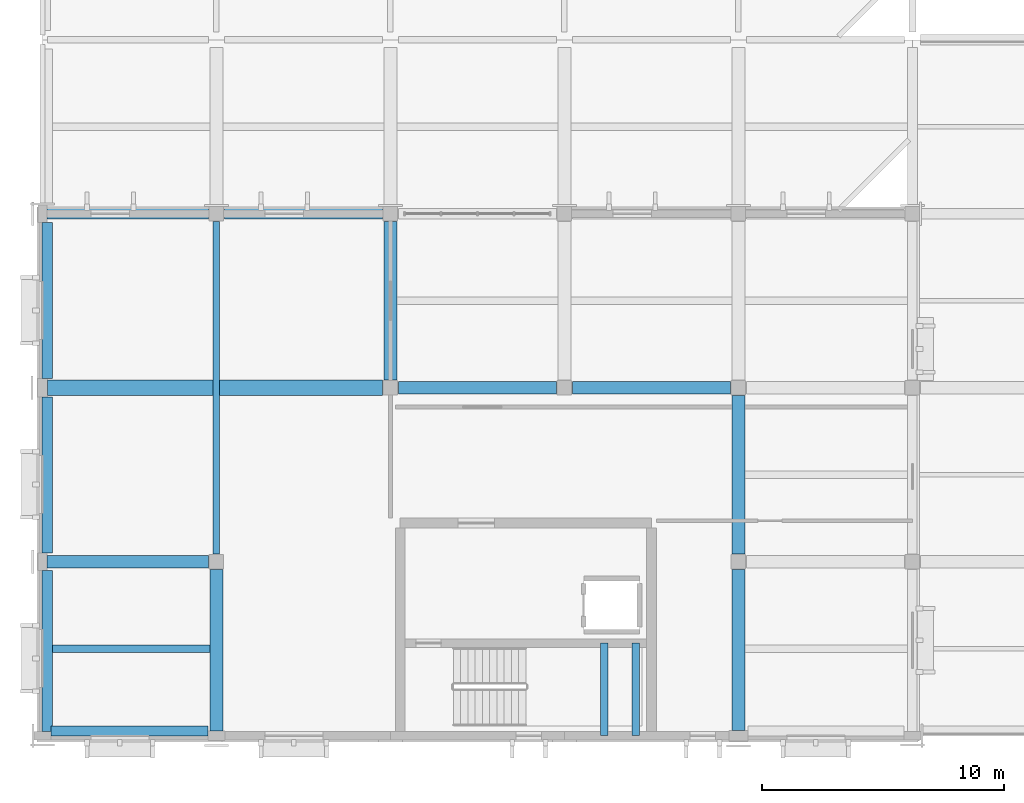
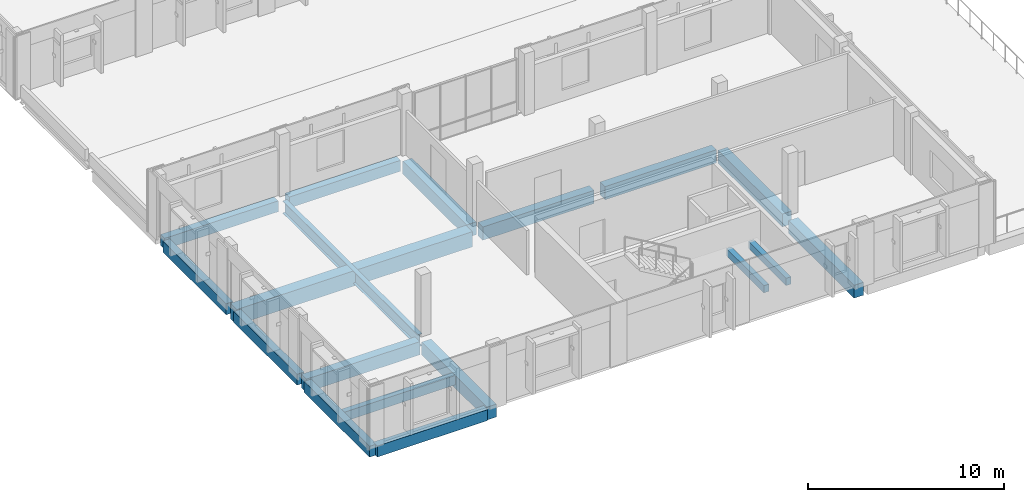
# One storey, part 12 of 64: 18 beams.
"""IFC4 building model written with IfcOpenShell, lengths in metres."""

from ifc_helpers import new_model, si_unit, direction, frame, origin, origin_2d, place, context, subcontext, project, spatial, rectangle, i_section, extrude, material, material_profile, profile_set, type_object, element, save


model = new_model("IFC4")

# Units and contexts
model_context = context("Model", 3, precision=1e-05, world=origin(), true_north=direction((0.0, 1.0)))
body_context = subcontext(model_context, "Body", "Model", "MODEL_VIEW")
ifc_project = project(units=[si_unit("LENGTHUNIT", "METRE"), si_unit("AREAUNIT", "SQUARE_METRE"), si_unit("VOLUMEUNIT", "CUBIC_METRE"), si_unit("PLANEANGLEUNIT", "RADIAN"), si_unit("MASSUNIT", "GRAM", prefix="KILO")], contexts=[model_context])

# Site, building, storey
site_placement = place(None, origin())
site = spatial("IfcSite", under=ifc_project, at=site_placement, CompositionType="ELEMENT")
building_placement = place(site_placement, origin())
building = spatial("IfcBuilding", under=site, at=building_placement, Name="Vervanel Yard Central Library", CompositionType="ELEMENT")
storey_placement = place(building_placement, frame((0.0, 0.0, 8.93994140625)))
storey = spatial("IfcBuildingStorey", under=building, at=storey_placement, Name="L02", CompositionType="ELEMENT", Elevation=8.93994140625)

# Beams
ifc_material_1 = material(Name="Concrete C40/50", Category="concrete")
ifc_material_profile_1 = material_profile(ifc_material_1, rectangle(XDim=0.5, YDim=0.820068359375, at=origin_2d()), Name="RC 500x820", Category="concrete")
ifc_profile_set_1 = profile_set([ifc_material_profile_1], Name="Concrete C40/50")
beam_type_1 = type_object("IfcBeamType", Name="Concrete Girder 500x820", PredefinedType="BEAM", material=ifc_profile_set_1)
beam_1_placement = place(storey_placement, frame((0.18994140625, 7.199951171875, -0.69482421875), z_axis=(1.0, 0.0, 0.0), x_axis=(0.0, 1.0, 0.0)))
element("IfcBeam", 1, at=beam_1_placement, inside=storey, type_object=beam_type_1, Name="L02 Girder CB-06 Y=7.2 X=0.0-7.2", PredefinedType="BEAM", context=body_context, shape_type="SweptSolid", body=[
    extrude(rectangle(XDim=0.5, YDim=0.820068359375, at=origin_2d()), origin(), (0.0, 0.0, 1.0), 6.68505859375),
])
beam_2_placement = place(storey_placement, frame((14.72509765625, 14.39990234375, -0.69482421875), z_axis=(1.0, 0.0, 0.0), x_axis=(0.0, 1.0, 0.0)))
element("IfcBeam", 2, at=beam_2_placement, inside=storey, type_object=beam_type_1, Name="L02 Girder CB-06 Y=14.4 X=14.4-21.6", PredefinedType="BEAM", context=body_context, shape_type="SweptSolid", body=[
    extrude(rectangle(XDim=0.5, YDim=0.820068359375, at=origin_2d()), origin(), (0.0, 0.0, 1.0), 6.5498046875),
])
beam_3_placement = place(storey_placement, frame((21.925048828125, 14.39990234375, -0.69482421875), z_axis=(1.0, 0.0, 0.0), x_axis=(0.0, 1.0, 0.0)))
element("IfcBeam", 3, at=beam_3_placement, inside=storey, type_object=beam_type_1, Name="L02 Girder CB-06 Y=14.4 X=21.6-28.8", PredefinedType="BEAM", context=body_context, shape_type="SweptSolid", body=[
    extrude(rectangle(XDim=0.5, YDim=0.820068359375, at=origin_2d()), origin(), (0.0, 0.0, 1.0), 6.550048828125),
])
ifc_material_2 = material(Name="Concrete C45/55", Category="concrete")
ifc_material_profile_2 = material_profile(ifc_material_2, rectangle(XDim=0.64990234375, YDim=0.949951171875, at=origin_2d()), Name="RC 650x950", Category="concrete")
ifc_profile_set_2 = profile_set([ifc_material_profile_2], Name="Concrete C45/55")
beam_type_2 = type_object("IfcBeamType", Name="Concrete Heavy Stack Girder 650x950", PredefinedType="BEAM", material=ifc_profile_set_2)
beam_4_placement = place(storey_placement, frame((0.2099609375, 14.39990234375, -0.760009765625), z_axis=(1.0, 0.0, 0.0), x_axis=(0.0, 1.0, 0.0)))
element("IfcBeam", 4, at=beam_4_placement, inside=storey, type_object=beam_type_2, Name="L02 Girder CB-04 Y=14.4 X=0.0-14.4", PredefinedType="BEAM", context=body_context, shape_type="SweptSolid", body=[
    extrude(rectangle(XDim=0.64990234375, YDim=0.949951171875, at=origin_2d()), origin(), (0.0, 0.0, 1.0), 13.864990234375),
])
ifc_material_profile_3 = material_profile(ifc_material_1, rectangle(XDim=0.300048828125, YDim=0.449951171875, at=origin_2d()), Name="RC 300x450", Category="concrete")
ifc_profile_set_3 = profile_set([ifc_material_profile_3], Name="Concrete C40/50")
beam_type_3 = type_object("IfcBeamType", Name="Concrete Opening Lintel 300x450", PredefinedType="LINTEL", material=ifc_profile_set_3)
for number, where, z_axis, x_axis, name in (
    (5, (23.25, 0.0, 1.4951171875), (0.0, 1.0, 0.0), (-1.0, 0.0, 0.0), "L02 CORE-D Stair Landing Beam 33"),
    (6, (24.550048828125, 0.0, 1.4951171875), (0.0, 1.0, 0.0), (-1.0, 0.0, 0.0), "L02 CORE-D Stair Landing Beam 34"),
):
    element("IfcBeam", number, at=place(storey_placement, frame(where, z_axis=z_axis, x_axis=x_axis)), inside=storey, type_object=beam_type_3, Name=name, PredefinedType="LINTEL", context=body_context, shape_type="SweptSolid", body=[
        extrude(rectangle(XDim=0.300048828125, YDim=0.449951171875, at=origin_2d()), origin(), (0.0, 0.0, 1.0), 3.8349609375),
    ])
ifc_material_profile_4 = material_profile(ifc_material_1, rectangle(XDim=0.419921875, YDim=0.679931640625, at=origin_2d()), Name="RC 420x680", Category="concrete")
ifc_profile_set_4 = profile_set([ifc_material_profile_4], Name="Concrete C40/50")
beam_type_4 = type_object("IfcBeamType", Name="Concrete Perimeter Spandrel 420x680", PredefinedType="SPANDREL", material=ifc_profile_set_4)
beam_5_placement = place(storey_placement, frame((0.35009765625, 0.199951171875, -0.625), z_axis=(1.0, 0.0, 0.0), x_axis=(0.0, 1.0, 0.0)))
element("IfcBeam", 7, at=beam_5_placement, inside=storey, type_object=beam_type_4, Name="L02 Girder SP-04 Y=0.0 X=0.0-7.2", PredefinedType="SPANDREL", context=body_context, shape_type="SweptSolid", body=[
    extrude(rectangle(XDim=0.419921875, YDim=0.679931640625, at=origin_2d()), origin(), (0.0, 0.0, 1.0), 6.489990234375),
])
beam_6_placement = place(storey_placement, frame((0.18994140625, 21.60009765625, -0.625), z_axis=(1.0, 0.0, 0.0), x_axis=(0.0, 1.0, 0.0)))
element("IfcBeam", 8, at=beam_6_placement, inside=storey, type_object=beam_type_4, Name="L02 Girder SP-04 Y=21.6 X=0.0-7.2", PredefinedType="SPANDREL", context=body_context, shape_type="SweptSolid", body=[
    extrude(rectangle(XDim=0.419921875, YDim=0.679931640625, at=origin_2d()), origin(), (0.0, 0.0, 1.0), 6.68505859375),
])
beam_7_placement = place(storey_placement, frame((7.52490234375, 21.60009765625, -0.625), z_axis=(1.0, 0.0, 0.0), x_axis=(0.0, 1.0, 0.0)))
element("IfcBeam", 9, at=beam_7_placement, inside=storey, type_object=beam_type_4, Name="L02 Girder SP-04 Y=21.6 X=7.2-14.4", PredefinedType="SPANDREL", context=body_context, shape_type="SweptSolid", body=[
    extrude(rectangle(XDim=0.419921875, YDim=0.679931640625, at=origin_2d()), origin(), (0.0, 0.0, 1.0), 6.550048828125),
])
beam_8_placement = place(storey_placement, frame((0.199951171875, 0.175048828125, -0.625), z_axis=(0.0, 1.0, 0.0), x_axis=(-1.0, 0.0, 0.0)))
element("IfcBeam", 10, at=beam_8_placement, inside=storey, type_object=beam_type_4, Name="L02 Girder SP-04 X=0.0 Y=0.0-7.2", PredefinedType="SPANDREL", context=body_context, shape_type="SweptSolid", body=[
    extrude(rectangle(XDim=0.419921875, YDim=0.679931640625, at=origin_2d()), origin(), (0.0, 0.0, 1.0), 6.6650390625),
])
for number, where, z_axis, x_axis, name in (
    (11, (0.199951171875, 7.56005859375, -0.625), (0.0, 1.0, 0.0), (-1.0, 0.0, 0.0), "L02 Girder SP-04 X=0.0 Y=7.2-14.4"),
    (12, (0.199951171875, 14.7900390625, -0.625), (0.0, 1.0, 0.0), (-1.0, 0.0, 0.0), "L02 Girder SP-04 X=0.0 Y=14.4-21.6"),
):
    element("IfcBeam", number, at=place(storey_placement, frame(where, z_axis=z_axis, x_axis=x_axis)), inside=storey, type_object=beam_type_4, Name=name, PredefinedType="SPANDREL", context=body_context, shape_type="SweptSolid", body=[
        extrude(rectangle(XDim=0.419921875, YDim=0.679931640625, at=origin_2d()), origin(), (0.0, 0.0, 1.0), 6.449951171875),
    ])
ifc_material_profile_5 = material_profile(ifc_material_1, rectangle(XDim=0.550048828125, YDim=0.800048828125, at=origin_2d()), Name="RC 550x800", Category="concrete")
ifc_profile_set_5 = profile_set([ifc_material_profile_5], Name="Concrete C40/50")
beam_type_5 = type_object("IfcBeamType", Name="Concrete Primary Girder 550x800", PredefinedType="BEAM", material=ifc_profile_set_5)
beam_9_placement = place(storey_placement, frame((7.199951171875, 0.18994140625, -0.68505859375), z_axis=(0.0, 1.0, 0.0), x_axis=(-1.0, 0.0, 0.0)))
element("IfcBeam", 13, at=beam_9_placement, inside=storey, type_object=beam_type_5, Name="L02 Girder CB-02 X=7.2 Y=0.0-7.2", PredefinedType="BEAM", context=body_context, shape_type="SweptSolid", body=[
    extrude(rectangle(XDim=0.550048828125, YDim=0.800048828125, at=origin_2d()), origin(), (0.0, 0.0, 1.0), 6.68505859375),
])
beam_10_placement = place(storey_placement, frame((14.39990234375, 14.72509765625, -0.68505859375), z_axis=(0.0, 1.0, 0.0), x_axis=(-1.0, 0.0, 0.0)))
element("IfcBeam", 14, at=beam_10_placement, inside=storey, type_object=beam_type_5, Name="L02 Girder CB-02 X=14.4 Y=14.4-21.6", PredefinedType="BEAM", context=body_context, shape_type="SweptSolid", body=[
    extrude(rectangle(XDim=0.550048828125, YDim=0.800048828125, at=origin_2d()), origin(), (0.0, 0.0, 1.0), 6.5498046875),
])
beam_11_placement = place(storey_placement, frame((28.800048828125, 0.2099609375, -0.68505859375), z_axis=(0.0, 1.0, 0.0), x_axis=(-1.0, 0.0, 0.0)))
element("IfcBeam", 15, at=beam_11_placement, inside=storey, type_object=beam_type_5, Name="L02 Girder CB-02 X=28.8 Y=0.0-7.2", PredefinedType="BEAM", context=body_context, shape_type="SweptSolid", body=[
    extrude(rectangle(XDim=0.550048828125, YDim=0.800048828125, at=origin_2d()), origin(), (0.0, 0.0, 1.0), 6.6650390625),
])
beam_12_placement = place(storey_placement, frame((28.800048828125, 7.52490234375, -0.68505859375), z_axis=(0.0, 1.0, 0.0), x_axis=(-1.0, 0.0, 0.0)))
element("IfcBeam", 16, at=beam_12_placement, inside=storey, type_object=beam_type_5, Name="L02 Girder CB-02 X=28.8 Y=7.2-14.4", PredefinedType="BEAM", context=body_context, shape_type="SweptSolid", body=[
    extrude(rectangle(XDim=0.550048828125, YDim=0.800048828125, at=origin_2d()), origin(), (0.0, 0.0, 1.0), 6.550048828125),
])
ifc_material_profile_6 = material_profile(ifc_material_1, rectangle(XDim=0.320068359375, YDim=0.580078125, at=origin_2d()), Name="RC 320x580", Category="concrete")
ifc_profile_set_6 = profile_set([ifc_material_profile_6], Name="Concrete C40/50")
beam_type_6 = type_object("IfcBeamType", Name="Concrete Secondary Joist 320x580", PredefinedType="JOIST", material=ifc_profile_set_6)
beam_13_placement = place(storey_placement, frame((0.409912109375, 3.60009765625, -0.574951171875), z_axis=(1.0, 0.0, 0.0), x_axis=(0.0, 1.0, 0.0)))
element("IfcBeam", 17, at=beam_13_placement, inside=storey, type_object=beam_type_6, Name="L02 Floor Joist CJ-04 Y=3.60 X=0.0-7.2", PredefinedType="JOIST", context=body_context, shape_type="SweptSolid", body=[
    extrude(rectangle(XDim=0.320068359375, YDim=0.580078125, at=origin_2d()), origin(), (0.0, 0.0, 1.0), 6.51513671875),
])
ifc_material_3 = material(Name="Steel ASTM A992 Grade 50", Category="steel")
ifc_material_profile_7 = material_profile(ifc_material_3, i_section(OverallWidth=0.2666015625, OverallDepth=0.76953125, WebThickness=0.015625, FlangeThickness=0.025390625, at=origin_2d()), Name="W30X132", Category="steel")
ifc_profile_set_7 = profile_set([ifc_material_profile_7], Name="Steel ASTM A992 Grade 50")
beam_type_7 = type_object("IfcBeamType", Name="Steel Reading Hall Girder W30X132", PredefinedType="BEAM", material=ifc_profile_set_7)
beam_14_placement = place(storey_placement, frame((7.199951171875, 7.52490234375, -0.669677734375), z_axis=(0.0, 1.0, 0.0), x_axis=(-1.0, 0.0, 0.0)))
element("IfcBeam", 18, at=beam_14_placement, inside=storey, type_object=beam_type_7, Name="L02 Girder SB-04 X=7.2 Y=7.2-21.6", PredefinedType="BEAM", context=body_context, shape_type="SweptSolid", body=[
    extrude(i_section(OverallWidth=0.2666015625, OverallDepth=0.76953125, WebThickness=0.015625, FlangeThickness=0.025390625, at=origin_2d()), origin(), (0.0, 0.0, 1.0), 13.75),
])

save(model, "model.ifc")
